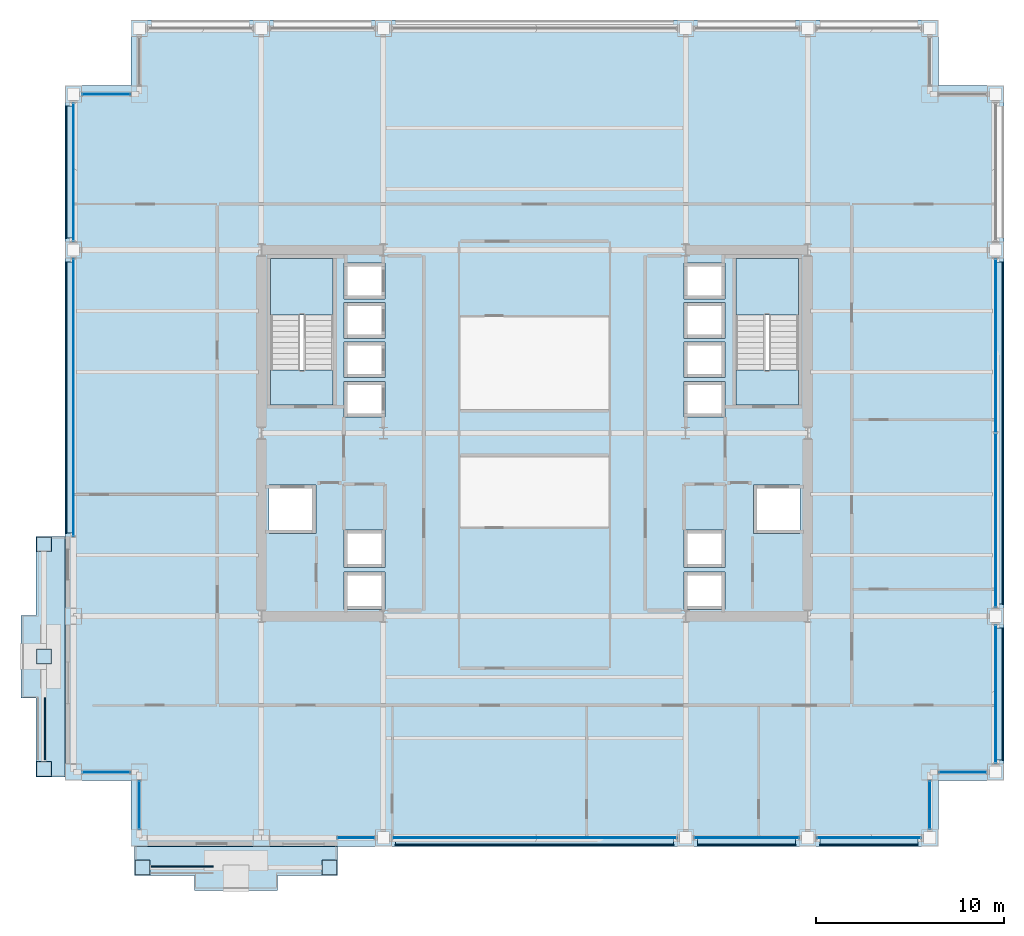
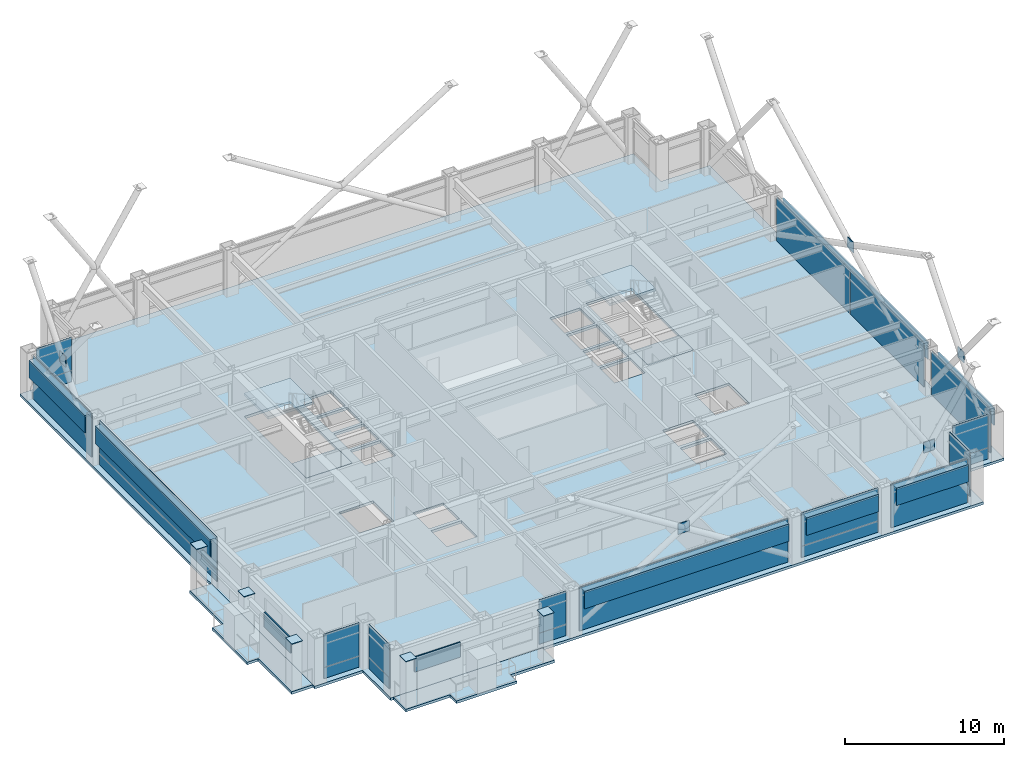
# One storey, part 23 of 30: 48 plates, 7 slabs, 15 elements without a shape of their own.
"""IFC4 building model written with IfcOpenShell, lengths in metres."""

from ifc_helpers import new_model, si_unit, direction, frame, origin, origin_2d, place, context, subcontext, project, spatial, polyline, rectangle, outline, extrude, material, layer, layer_set, type_object, element, aggregate, save


model = new_model("IFC4")

# Units and contexts
model_context = context("Model", 3, precision=1e-05, world=origin(), true_north=direction((0.0, 1.0)))
body_context = subcontext(model_context, "Body", "Model", "MODEL_VIEW")
ifc_project = project(units=[si_unit("LENGTHUNIT", "METRE"), si_unit("AREAUNIT", "SQUARE_METRE"), si_unit("VOLUMEUNIT", "CUBIC_METRE"), si_unit("PLANEANGLEUNIT", "RADIAN"), si_unit("MASSUNIT", "GRAM", prefix="KILO")], contexts=[model_context])

# Site, building, storey
site_placement = place(None, origin())
site = spatial("IfcSite", under=ifc_project, at=site_placement, CompositionType="ELEMENT")
building_placement = place(site_placement, origin())
building = spatial("IfcBuilding", under=site, at=building_placement, Name="Brelmoor Portico Tower", CompositionType="ELEMENT")
storey_placement = place(building_placement, frame((0.0, 0.0, 56.39990234375)))
storey = spatial("IfcBuildingStorey", under=building, at=storey_placement, Name="L14", CompositionType="ELEMENT", Elevation=56.39990234375)

# Plates
ifc_material_1 = material(Name="Steel Q355B", Category="steel")
ifc_layer_1 = layer(ifc_material_1, 0.044921875)
ifc_layer_set_1 = layer_set([ifc_layer_1], Name="Steel Q355B")
plate_type_1 = type_object("IfcPlateType", Name="PT-CAP-650", PredefinedType="SHEET", material=ifc_layer_set_1)
for number, where, z_axis, x_axis, name in (
    (1, (-26.1298828125, -17.8798828125, 3.60009765625), (0.0, 0.0, 1.0), (0.0, 1.0, 0.0), "L14 Proud Picture-Frame Pier PFJ-W1 Welded Head Cap Plate"),
    (2, (-26.1298828125, -5.919921875, 3.60009765625), (0.0, 0.0, 1.0), (0.0, 1.0, 0.0), "L14 Proud Picture-Frame Pier PFJ-W2 Welded Head Cap Plate"),
    (3, (-26.1298828125, -11.89990234375, 3.60009765625), (0.0, 0.0, 1.0), (0.0, 1.0, 0.0), "L14 Proud Picture-Frame Pier PFJ-W3 Welded Head Cap Plate"),
    (4, (-20.8798828125, -23.1298828125, 3.60009765625), (0.0, 0.0, 1.0), (1.0, 0.0, 0.0), "L14 Proud Picture-Frame Pier PFJ-S1 Welded Head Cap Plate"),
    (5, (-10.919921875, -23.1298828125, 3.60009765625), (0.0, 0.0, 1.0), (1.0, 0.0, 0.0), "L14 Proud Picture-Frame Pier PFJ-S2 Welded Head Cap Plate"),
):
    element("IfcPlate", number, at=place(storey_placement, frame(where, z_axis=z_axis, x_axis=x_axis)), inside=storey, type_object=plate_type_1, Name=name, PredefinedType="SHEET", context=body_context, shape_type="SweptSolid", body=[
        extrude(rectangle(XDim=0.7900390625, YDim=0.7900390625, at=origin_2d()), origin(), (0.0, 0.0, 1.0), 0.0400390625),
    ])

# Curtain wall, plate
ifc_material_2 = material(Name="Anodised Aluminium Alloy 6063-T6", Category="aluminium")
ifc_layer_2 = layer(ifc_material_2, 0.179931640625)
ifc_layer_set_2 = layer_set([ifc_layer_2], Name="Anodised Aluminium Alloy 6063-T6")
curtain_wall_type_1 = type_object("IfcCurtainWallType", Name="CW-TOWER-Z1", PredefinedType="NOTDEFINED", material=ifc_layer_set_2)
curtain_wall_1_placement = place(storey_placement, origin())
curtain_wall_1 = element("IfcCurtainWall", 6, at=curtain_wall_1_placement, inside=storey, type_object=curtain_wall_type_1, Name="L14 Curtain Wall CW-L14-1R-1", PredefinedType="NOTDEFINED")
ifc_material_3 = material(Name="Double-Silver Low-E Insulated Glazing", Category="glass")
ifc_layer_3 = layer(ifc_material_3, 0.035888671875)
ifc_layer_set_3 = layer_set([ifc_layer_3], Name="Double-Silver Low-E Insulated Glazing")
plate_type_2 = type_object("IfcPlateType", Name="PT-CW-GLASS", PredefinedType="CURTAIN_PANEL", material=ifc_layer_set_3)
plate_1_placement = place(storey_placement, frame((-9.5048828125, -21.550048828125, 0.85009765625), z_axis=(0.0, 0.0, 1.0), x_axis=(1.0, 0.0, 0.0)))
plate_1 = element("IfcPlate", 7, at=plate_1_placement, type_object=plate_type_2, Name="CW-L14-1R-1 Vision Glass Panel 00", PredefinedType="CURTAIN_PANEL", context=body_context, shape_type="SweptSolid", body=[
    extrude(rectangle(XDim=1.9599609375, YDim=0.035888671875, at=origin_2d()), origin(), (0.0, 0.0, 1.0), 2.550048828125),
])

curtain_wall_2_placement = place(storey_placement, origin())
curtain_wall_2 = element("IfcCurtainWall", 8, at=curtain_wall_2_placement, inside=storey, type_object=curtain_wall_type_1, Name="L14 Curtain Wall CW-L14-1R-3", PredefinedType="NOTDEFINED")
plate_2_placement = place(storey_placement, frame((11.300048828125, -21.550048828125, 0.85009765625), z_axis=(0.0, 0.0, 1.0), x_axis=(1.0, 0.0, 0.0)))
plate_2 = element("IfcPlate", 9, at=plate_2_placement, type_object=plate_type_2, Name="CW-L14-1R-3 Vision Glass Panel 00", PredefinedType="CURTAIN_PANEL", context=body_context, shape_type="SweptSolid", body=[
    extrude(rectangle(XDim=5.550048828125, YDim=0.035888671875, at=origin_2d()), origin(), (0.0, 0.0, 1.0), 2.550048828125),
])

curtain_wall_3_placement = place(storey_placement, origin())
curtain_wall_3 = element("IfcCurtainWall", 10, at=curtain_wall_3_placement, inside=storey, type_object=curtain_wall_type_1, Name="L14 Curtain Wall CW-L14-3R-1", PredefinedType="NOTDEFINED")
plate_3_placement = place(storey_placement, frame((-24.550048828125, 1.89501953125, 0.85009765625), z_axis=(0.0, 0.0, 1.0), x_axis=(0.0, 1.0, 0.0)))
plate_3 = element("IfcPlate", 11, at=plate_3_placement, type_object=plate_type_2, Name="CW-L14-3R-1 Vision Glass Panel 00", PredefinedType="CURTAIN_PANEL", context=body_context, shape_type="SweptSolid", body=[
    extrude(rectangle(XDim=14.760009765625, YDim=0.035888671875, at=origin_2d()), origin(), (0.0, 0.0, 1.0), 2.550048828125),
])

ifc_layer_4 = layer(ifc_material_2, 0.179931640625)
ifc_layer_set_4 = layer_set([ifc_layer_4], Name="Anodised Aluminium Alloy 6063-T6")
curtain_wall_type_2 = type_object("IfcCurtainWallType", Name="CW-NOTCH-CHAMFER", PredefinedType="NOTDEFINED", material=ifc_layer_set_4)
curtain_wall_4_placement = place(storey_placement, origin())
curtain_wall_4 = element("IfcCurtainWall", 12, at=curtain_wall_4_placement, inside=storey, type_object=curtain_wall_type_2, Name="L14 Curtain Wall CWN-L14-SWH", PredefinedType="NOTDEFINED")
plate_4_placement = place(storey_placement, frame((-22.800048828125, -18.050048828125, 0.85009765625), z_axis=(0.0, 0.0, 1.0), x_axis=(1.0, 0.0, 0.0)))
plate_4 = element("IfcPlate", 13, at=plate_4_placement, type_object=plate_type_2, Name="CWN-L14-SWH Vision Glass Panel 00", PredefinedType="CURTAIN_PANEL", context=body_context, shape_type="SweptSolid", body=[
    extrude(rectangle(XDim=2.550048828125, YDim=0.035888671875, at=origin_2d()), origin(), (0.0, 0.0, 1.0), 2.550048828125),
])

curtain_wall_5_placement = place(storey_placement, origin())
curtain_wall_5 = element("IfcCurtainWall", 14, at=curtain_wall_5_placement, inside=storey, type_object=curtain_wall_type_2, Name="L14 Curtain Wall CWN-L14-SWV", PredefinedType="NOTDEFINED")
plate_5_placement = place(storey_placement, frame((-21.050048828125, -19.800048828125, 0.85009765625), z_axis=(0.0, 0.0, 1.0), x_axis=(0.0, 1.0, 0.0)))
plate_5 = element("IfcPlate", 15, at=plate_5_placement, type_object=plate_type_2, Name="CWN-L14-SWV Vision Glass Panel 00", PredefinedType="CURTAIN_PANEL", context=body_context, shape_type="SweptSolid", body=[
    extrude(rectangle(XDim=2.550048828125, YDim=0.035888671875, at=origin_2d()), origin(), (0.0, 0.0, 1.0), 2.550048828125),
])

curtain_wall_6_placement = place(storey_placement, origin())
curtain_wall_6 = element("IfcCurtainWall", 16, at=curtain_wall_6_placement, inside=storey, type_object=curtain_wall_type_2, Name="L14 Curtain Wall CWN-L14-SEH", PredefinedType="NOTDEFINED")
plate_6_placement = place(storey_placement, frame((22.800048828125, -18.050048828125, 0.85009765625), z_axis=(0.0, 0.0, 1.0), x_axis=(1.0, 0.0, 0.0)))
plate_6 = element("IfcPlate", 17, at=plate_6_placement, type_object=plate_type_2, Name="CWN-L14-SEH Vision Glass Panel 00", PredefinedType="CURTAIN_PANEL", context=body_context, shape_type="SweptSolid", body=[
    extrude(rectangle(XDim=2.550048828125, YDim=0.035888671875, at=origin_2d()), origin(), (0.0, 0.0, 1.0), 2.550048828125),
])

curtain_wall_7_placement = place(storey_placement, origin())
curtain_wall_7 = element("IfcCurtainWall", 18, at=curtain_wall_7_placement, inside=storey, type_object=curtain_wall_type_2, Name="L14 Curtain Wall CWN-L14-SEV", PredefinedType="NOTDEFINED")
plate_7_placement = place(storey_placement, frame((21.050048828125, -19.800048828125, 0.85009765625), z_axis=(0.0, 0.0, 1.0), x_axis=(0.0, 1.0, 0.0)))
plate_7 = element("IfcPlate", 19, at=plate_7_placement, type_object=plate_type_2, Name="CWN-L14-SEV Vision Glass Panel 00", PredefinedType="CURTAIN_PANEL", context=body_context, shape_type="SweptSolid", body=[
    extrude(rectangle(XDim=2.550048828125, YDim=0.035888671875, at=origin_2d()), origin(), (0.0, 0.0, 1.0), 2.550048828125),
])

curtain_wall_8_placement = place(storey_placement, origin())
curtain_wall_8 = element("IfcCurtainWall", 20, at=curtain_wall_8_placement, inside=storey, type_object=curtain_wall_type_2, Name="L14 Curtain Wall CWN-L14-NWH", PredefinedType="NOTDEFINED")
plate_8_placement = place(storey_placement, frame((-22.800048828125, 18.050048828125, 0.85009765625), z_axis=(0.0, 0.0, 1.0), x_axis=(1.0, 0.0, 0.0)))
plate_8 = element("IfcPlate", 21, at=plate_8_placement, type_object=plate_type_2, Name="CWN-L14-NWH Vision Glass Panel 00", PredefinedType="CURTAIN_PANEL", context=body_context, shape_type="SweptSolid", body=[
    extrude(rectangle(XDim=2.550048828125, YDim=0.035888671875, at=origin_2d()), origin(), (0.0, 0.0, 1.0), 2.550048828125),
])

# Plate
ifc_material_4 = material(Name="Pale Champagne Anodised Aluminium Panel", Category="aluminium")
ifc_layer_5 = layer(ifc_material_4, 0.050048828125)
ifc_layer_set_5 = layer_set([ifc_layer_5], Name="Pale Champagne Anodised Aluminium Panel")
plate_type_3 = type_object("IfcPlateType", Name="PT-CW-SPANDREL", PredefinedType="SHEET", material=ifc_layer_set_5)
plate_9_placement = place(storey_placement, frame((-9.5048828125, -21.550048828125, 0.0), z_axis=(0.0, 0.0, 1.0), x_axis=(1.0, 0.0, 0.0)))
plate_9 = element("IfcPlate", 22, at=plate_9_placement, type_object=plate_type_3, Name="CW-L14-1R-1 Spandrel Panel 00", PredefinedType="SHEET", context=body_context, shape_type="SweptSolid", body=[
    extrude(rectangle(XDim=1.9599609375, YDim=0.050048828125, at=origin_2d()), origin(), (0.0, 0.0, 1.0), 0.85009765625),
])

aggregate(curtain_wall_1, [plate_9, plate_1])

# Curtain wall, plate
ifc_layer_6 = layer(ifc_material_2, 0.179931640625)
ifc_layer_set_6 = layer_set([ifc_layer_6], Name="Anodised Aluminium Alloy 6063-T6")
curtain_wall_type_3 = type_object("IfcCurtainWallType", Name="CW-TOWER-Z1-XB", PredefinedType="NOTDEFINED", material=ifc_layer_set_6)
curtain_wall_9_placement = place(storey_placement, origin())
curtain_wall_9 = element("IfcCurtainWall", 23, at=curtain_wall_9_placement, inside=storey, type_object=curtain_wall_type_3, Name="L14 Curtain Wall CW-L14-1R-2", PredefinedType="NOTDEFINED")
plate_10_placement = place(storey_placement, frame((0.0, -21.550048828125, 0.0), z_axis=(0.0, 0.0, 1.0), x_axis=(1.0, 0.0, 0.0)))
plate_10 = element("IfcPlate", 24, at=plate_10_placement, type_object=plate_type_3, Name="CW-L14-1R-2 Spandrel Panel 00", PredefinedType="SHEET", context=body_context, shape_type="SweptSolid", body=[
    extrude(rectangle(XDim=15.14990234375, YDim=0.050048828125, at=origin_2d()), origin(), (0.0, 0.0, 1.0), 3.330078125),
])
aggregate(curtain_wall_9, [plate_10])

# Plate
plate_11_placement = place(storey_placement, frame((11.300048828125, -21.550048828125, 0.0), z_axis=(0.0, 0.0, 1.0), x_axis=(1.0, 0.0, 0.0)))
plate_11 = element("IfcPlate", 25, at=plate_11_placement, type_object=plate_type_3, Name="CW-L14-1R-3 Spandrel Panel 00", PredefinedType="SHEET", context=body_context, shape_type="SweptSolid", body=[
    extrude(rectangle(XDim=5.550048828125, YDim=0.050048828125, at=origin_2d()), origin(), (0.0, 0.0, 1.0), 0.85009765625),
])

aggregate(curtain_wall_2, [plate_11, plate_2])

# Curtain wall, plate
curtain_wall_10_placement = place(storey_placement, origin())
curtain_wall_10 = element("IfcCurtainWall", 26, at=curtain_wall_10_placement, inside=storey, type_object=curtain_wall_type_3, Name="L14 Curtain Wall CW-L14-1R-4", PredefinedType="NOTDEFINED")
plate_12_placement = place(storey_placement, frame((17.800048828125, -21.550048828125, 0.0), z_axis=(0.0, 0.0, 1.0), x_axis=(1.0, 0.0, 0.0)))
plate_12 = element("IfcPlate", 27, at=plate_12_placement, type_object=plate_type_3, Name="CW-L14-1R-4 Spandrel Panel 00", PredefinedType="SHEET", context=body_context, shape_type="SweptSolid", body=[
    extrude(rectangle(XDim=5.550048828125, YDim=0.050048828125, at=origin_2d()), origin(), (0.0, 0.0, 1.0), 3.330078125),
])
aggregate(curtain_wall_10, [plate_12])

# Plate
plate_13_placement = place(storey_placement, frame((-24.550048828125, 1.89501953125, 0.0), z_axis=(0.0, 0.0, 1.0), x_axis=(0.0, 1.0, 0.0)))
plate_13 = element("IfcPlate", 28, at=plate_13_placement, type_object=plate_type_3, Name="CW-L14-3R-1 Spandrel Panel 00", PredefinedType="SHEET", context=body_context, shape_type="SweptSolid", body=[
    extrude(rectangle(XDim=14.760009765625, YDim=0.050048828125, at=origin_2d()), origin(), (0.0, 0.0, 1.0), 0.85009765625),
])

aggregate(curtain_wall_3, [plate_13, plate_3])

# Curtain wall, plate
curtain_wall_11_placement = place(storey_placement, origin())
curtain_wall_11 = element("IfcCurtainWall", 29, at=curtain_wall_11_placement, inside=storey, type_object=curtain_wall_type_3, Name="L14 Curtain Wall CW-L14-3R-2", PredefinedType="NOTDEFINED")
plate_14_placement = place(storey_placement, frame((-24.550048828125, 13.89990234375, 0.0), z_axis=(0.0, 0.0, 1.0), x_axis=(0.0, 1.0, 0.0)))
plate_14 = element("IfcPlate", 30, at=plate_14_placement, type_object=plate_type_3, Name="CW-L14-3R-2 Spandrel Panel 00", PredefinedType="SHEET", context=body_context, shape_type="SweptSolid", body=[
    extrude(rectangle(XDim=7.35009765625, YDim=0.050048828125, at=origin_2d()), origin(), (0.0, 0.0, 1.0), 3.330078125),
])
aggregate(curtain_wall_11, [plate_14])

curtain_wall_12_placement = place(storey_placement, origin())
curtain_wall_12 = element("IfcCurtainWall", 31, at=curtain_wall_12_placement, inside=storey, type_object=curtain_wall_type_3, Name="L14 Curtain Wall CW-L14-04-1", PredefinedType="NOTDEFINED")
plate_15_placement = place(storey_placement, frame((24.550048828125, -13.89990234375, 0.0), z_axis=(0.0, 0.0, 1.0), x_axis=(0.0, 1.0, 0.0)))
plate_15 = element("IfcPlate", 32, at=plate_15_placement, type_object=plate_type_3, Name="CW-L14-04-1 Spandrel Panel 00", PredefinedType="SHEET", context=body_context, shape_type="SweptSolid", body=[
    extrude(rectangle(XDim=7.35009765625, YDim=0.050048828125, at=origin_2d()), origin(), (0.0, 0.0, 1.0), 3.330078125),
])
aggregate(curtain_wall_12, [plate_15])

# Curtain wall, plates
curtain_wall_13_placement = place(storey_placement, origin())
curtain_wall_13 = element("IfcCurtainWall", 33, at=curtain_wall_13_placement, inside=storey, type_object=curtain_wall_type_3, Name="L14 Curtain Wall CW-L14-04-2", PredefinedType="NOTDEFINED")
plate_16_placement = place(storey_placement, frame((24.550048828125, -4.64501953125, 0.0), z_axis=(0.0, 0.0, 1.0), x_axis=(0.0, 1.0, 0.0)))
plate_16 = element("IfcPlate", 34, at=plate_16_placement, type_object=plate_type_3, Name="CW-L14-04-2 Spandrel Panel 00", PredefinedType="SHEET", context=body_context, shape_type="SweptSolid", body=[
    extrude(rectangle(XDim=9.260009765625, YDim=0.050048828125, at=origin_2d()), origin(), (0.0, 0.0, 1.0), 3.330078125),
])
plate_17_placement = place(storey_placement, frame((24.550048828125, 4.64501953125, 0.0), z_axis=(0.0, 0.0, 1.0), x_axis=(0.0, 1.0, 0.0)))
plate_17 = element("IfcPlate", 35, at=plate_17_placement, type_object=plate_type_3, Name="CW-L14-04-2 Spandrel Panel 01", PredefinedType="SHEET", context=body_context, shape_type="SweptSolid", body=[
    extrude(rectangle(XDim=9.260009765625, YDim=0.050048828125, at=origin_2d()), origin(), (0.0, 0.0, 1.0), 3.330078125),
])
aggregate(curtain_wall_13, [plate_16, plate_17])

# Plate
plate_18_placement = place(storey_placement, frame((-22.800048828125, -18.050048828125, 0.0), z_axis=(0.0, 0.0, 1.0), x_axis=(1.0, 0.0, 0.0)))
plate_18 = element("IfcPlate", 36, at=plate_18_placement, type_object=plate_type_3, Name="CWN-L14-SWH Spandrel Panel 00", PredefinedType="SHEET", context=body_context, shape_type="SweptSolid", body=[
    extrude(rectangle(XDim=2.550048828125, YDim=0.050048828125, at=origin_2d()), origin(), (0.0, 0.0, 1.0), 0.85009765625),
])

aggregate(curtain_wall_4, [plate_18, plate_4])

plate_19_placement = place(storey_placement, frame((-21.050048828125, -19.800048828125, 0.0), z_axis=(0.0, 0.0, 1.0), x_axis=(0.0, 1.0, 0.0)))
plate_19 = element("IfcPlate", 37, at=plate_19_placement, type_object=plate_type_3, Name="CWN-L14-SWV Spandrel Panel 00", PredefinedType="SHEET", context=body_context, shape_type="SweptSolid", body=[
    extrude(rectangle(XDim=2.550048828125, YDim=0.050048828125, at=origin_2d()), origin(), (0.0, 0.0, 1.0), 0.85009765625),
])

aggregate(curtain_wall_5, [plate_19, plate_5])

plate_20_placement = place(storey_placement, frame((22.800048828125, -18.050048828125, 0.0), z_axis=(0.0, 0.0, 1.0), x_axis=(1.0, 0.0, 0.0)))
plate_20 = element("IfcPlate", 38, at=plate_20_placement, type_object=plate_type_3, Name="CWN-L14-SEH Spandrel Panel 00", PredefinedType="SHEET", context=body_context, shape_type="SweptSolid", body=[
    extrude(rectangle(XDim=2.550048828125, YDim=0.050048828125, at=origin_2d()), origin(), (0.0, 0.0, 1.0), 0.85009765625),
])

aggregate(curtain_wall_6, [plate_20, plate_6])

plate_21_placement = place(storey_placement, frame((21.050048828125, -19.800048828125, 0.0), z_axis=(0.0, 0.0, 1.0), x_axis=(0.0, 1.0, 0.0)))
plate_21 = element("IfcPlate", 39, at=plate_21_placement, type_object=plate_type_3, Name="CWN-L14-SEV Spandrel Panel 00", PredefinedType="SHEET", context=body_context, shape_type="SweptSolid", body=[
    extrude(rectangle(XDim=2.550048828125, YDim=0.050048828125, at=origin_2d()), origin(), (0.0, 0.0, 1.0), 0.85009765625),
])

aggregate(curtain_wall_7, [plate_21, plate_7])

plate_22_placement = place(storey_placement, frame((-22.800048828125, 18.050048828125, 0.0), z_axis=(0.0, 0.0, 1.0), x_axis=(1.0, 0.0, 0.0)))
plate_22 = element("IfcPlate", 40, at=plate_22_placement, type_object=plate_type_3, Name="CWN-L14-NWH Spandrel Panel 00", PredefinedType="SHEET", context=body_context, shape_type="SweptSolid", body=[
    extrude(rectangle(XDim=2.550048828125, YDim=0.050048828125, at=origin_2d()), origin(), (0.0, 0.0, 1.0), 0.85009765625),
])

aggregate(curtain_wall_8, [plate_22, plate_8])

# Plates
ifc_layer_7 = layer(ifc_material_1, 0.050048828125)
ifc_layer_set_7 = layer_set([ifc_layer_7], Name="Steel Q355B")
plate_type_4 = type_object("IfcPlateType", Name="PT-GUSSET-800", PredefinedType="USERDEFINED", material=ifc_layer_set_7)
for number, where, z_axis, x_axis, name in (
    (41, (0.0, -21.550048828125, 4.89990234375), (0.0, 0.0, 1.0), (1.0, 0.0, 0.0), "L14 Perimeter Mega-Brace Gusset 025"),
    (42, (17.800048828125, -21.550048828125, 4.89990234375), (0.0, 0.0, 1.0), (1.0, 0.0, 0.0), "L14 Perimeter Mega-Brace Gusset 026"),
):
    element("IfcPlate", number, at=place(storey_placement, frame(where, z_axis=z_axis, x_axis=x_axis)), inside=storey, type_object=plate_type_4, Name=name, ObjectType="GUSSET PLATE", PredefinedType="USERDEFINED", context=body_context, shape_type="SweptSolid", body=[
        extrude(rectangle(XDim=0.800048828125, YDim=0.050048828125, at=origin_2d()), origin(), (0.0, 0.0, 1.0), 0.800048828125),
    ])
for number, where, z_axis, x_axis, name in (
    (43, (-24.550048828125, 13.89990234375, 4.89990234375), (0.0, 0.0, 1.0), (1.0, 0.0, 0.0), "L14 Perimeter Mega-Brace Gusset 030"),
    (44, (24.550048828125, -13.89990234375, 4.89990234375), (0.0, 0.0, 1.0), (1.0, 0.0, 0.0), "L14 Perimeter Mega-Brace Gusset 031"),
    (45, (24.550048828125, 0.0, 4.89990234375), (0.0, 0.0, 1.0), (1.0, 0.0, 0.0), "L14 Perimeter Mega-Brace Gusset 032"),
):
    element("IfcPlate", number, at=place(storey_placement, frame(where, z_axis=z_axis, x_axis=x_axis)), inside=storey, type_object=plate_type_4, Name=name, ObjectType="GUSSET PLATE", PredefinedType="USERDEFINED", context=body_context, shape_type="SweptSolid", body=[
        extrude(rectangle(XDim=0.050048828125, YDim=0.800048828125, at=origin_2d()), origin(), (0.0, 0.0, 1.0), 0.800048828125),
    ])
ifc_material_5 = material(Name="Powder-Coated Aluminium Shuttered Jalousie Louvre", Category="aluminium")
ifc_layer_8 = layer(ifc_material_5, 0.06005859375)
ifc_layer_set_8 = layer_set([ifc_layer_8], Name="Powder-Coated Aluminium Shuttered Jalousie Louvre")
plate_type_5 = type_object("IfcPlateType", Name="PT-JALOUSIE-SHUTTER", PredefinedType="SHEET", material=ifc_layer_set_8)
plate_23_placement = place(storey_placement, frame((0.0, -21.929931640625, 1.8740234375), z_axis=(0.0, 0.0, 1.0), x_axis=(1.0, 0.0, 0.0)))
element("IfcPlate", 46, at=plate_23_placement, inside=storey, type_object=plate_type_5, Name="CW-L14-1R-2 Perforated Jalousie Solar Screen", PredefinedType="SHEET", context=body_context, shape_type="SweptSolid", body=[
    extrude(rectangle(XDim=14.820068359375, YDim=0.06494140625, at=origin_2d()), origin(), (0.0, 0.0, 1.0), 1.325927734375),
])
for number, where, z_axis, x_axis, name in (
    (47, (11.300048828125, -21.929931640625, 1.8740234375), (0.0, 0.0, 1.0), (1.0, 0.0, 0.0), "CW-L14-1R-3 Perforated Jalousie Solar Screen"),
    (48, (17.800048828125, -21.929931640625, 1.8740234375), (0.0, 0.0, 1.0), (1.0, 0.0, 0.0), "CW-L14-1R-4 Perforated Jalousie Solar Screen"),
):
    element("IfcPlate", number, at=place(storey_placement, frame(where, z_axis=z_axis, x_axis=x_axis)), inside=storey, type_object=plate_type_5, Name=name, PredefinedType="SHEET", context=body_context, shape_type="SweptSolid", body=[
        extrude(rectangle(XDim=5.219970703125, YDim=0.06494140625, at=origin_2d()), origin(), (0.0, 0.0, 1.0), 1.325927734375),
    ])
plate_24_placement = place(storey_placement, frame((-18.75, -23.080078125, 2.275146484375), z_axis=(0.0, 0.0, 1.0), x_axis=(1.0, 0.0, 0.0)))
element("IfcPlate", 49, at=plate_24_placement, inside=storey, type_object=plate_type_5, Name="L14 Shuttered Veranda Screen S", PredefinedType="SHEET", context=body_context, shape_type="SweptSolid", body=[
    extrude(rectangle(XDim=3.300048828125, YDim=0.080078125, at=origin_2d()), origin(), (0.0, 0.0, 1.0), 1.14990234375),
])
plate_25_placement = place(storey_placement, frame((-24.929931640625, 1.89501953125, 1.8740234375), z_axis=(0.0, 0.0, 1.0), x_axis=(0.0, 1.0, 0.0)))
element("IfcPlate", 50, at=plate_25_placement, inside=storey, type_object=plate_type_5, Name="CW-L14-3R-1 Perforated Jalousie Solar Screen", PredefinedType="SHEET", context=body_context, shape_type="SweptSolid", body=[
    extrude(rectangle(XDim=14.429931640625, YDim=0.06494140625, at=origin_2d()), origin(), (0.0, 0.0, 1.0), 1.325927734375),
])
plate_26_placement = place(storey_placement, frame((-24.929931640625, 13.89990234375, 1.8740234375), z_axis=(0.0, 0.0, 1.0), x_axis=(0.0, 1.0, 0.0)))
element("IfcPlate", 51, at=plate_26_placement, inside=storey, type_object=plate_type_5, Name="CW-L14-3R-2 Perforated Jalousie Solar Screen", PredefinedType="SHEET", context=body_context, shape_type="SweptSolid", body=[
    extrude(rectangle(XDim=7.02001953125, YDim=0.06494140625, at=origin_2d()), origin(), (0.0, 0.0, 1.0), 1.325927734375),
])
plate_27_placement = place(storey_placement, frame((-26.080078125, -15.75, 2.275146484375), z_axis=(0.0, 0.0, 1.0), x_axis=(0.0, 1.0, 0.0)))
element("IfcPlate", 52, at=plate_27_placement, inside=storey, type_object=plate_type_5, Name="L14 Shuttered Veranda Screen W", PredefinedType="SHEET", context=body_context, shape_type="SweptSolid", body=[
    extrude(rectangle(XDim=3.300048828125, YDim=0.080078125, at=origin_2d()), origin(), (0.0, 0.0, 1.0), 1.14990234375),
])
plate_28_placement = place(storey_placement, frame((24.929931640625, -13.89990234375, 1.8740234375), z_axis=(0.0, 0.0, 1.0), x_axis=(0.0, 1.0, 0.0)))
element("IfcPlate", 53, at=plate_28_placement, inside=storey, type_object=plate_type_5, Name="CW-L14-04-1 Perforated Jalousie Solar Screen", PredefinedType="SHEET", context=body_context, shape_type="SweptSolid", body=[
    extrude(rectangle(XDim=7.02001953125, YDim=0.06494140625, at=origin_2d()), origin(), (0.0, 0.0, 1.0), 1.325927734375),
])
plate_29_placement = place(storey_placement, frame((24.929931640625, 0.0, 1.8740234375), z_axis=(0.0, 0.0, 1.0), x_axis=(0.0, 1.0, 0.0)))
element("IfcPlate", 54, at=plate_29_placement, inside=storey, type_object=plate_type_5, Name="CW-L14-04-2 Perforated Jalousie Solar Screen", PredefinedType="SHEET", context=body_context, shape_type="SweptSolid", body=[
    extrude(rectangle(XDim=18.219970703125, YDim=0.06494140625, at=origin_2d()), origin(), (0.0, 0.0, 1.0), 1.325927734375),
])
ifc_material_6 = material(Name="Pale Champagne Perforated Aluminium Solar Screen", Category="aluminium")
ifc_layer_9 = layer(ifc_material_6, 0.054931640625)
ifc_layer_set_9 = layer_set([ifc_layer_9], Name="Pale Champagne Perforated Aluminium Solar Screen")
plate_type_6 = type_object("IfcPlateType", Name="PT-SOLAR-LOUVRE", PredefinedType="SHEET", material=ifc_layer_set_9)
plate_30_placement = place(storey_placement, frame((0.0, -21.760009765625, 3.09033203125), z_axis=(0.0, 0.0, 1.0), x_axis=(1.0, 0.0, 0.0)))
element("IfcPlate", 55, at=plate_30_placement, inside=storey, type_object=plate_type_6, Name="CW-L14-1R-2 Caribbean Brise-Soleil Solar Screen", PredefinedType="SHEET", context=body_context, shape_type="SweptSolid", body=[
    extrude(rectangle(XDim=14.820068359375, YDim=0.4599609375, at=origin_2d()), origin(), (0.0, 0.0, 1.0), 0.139892578125),
])
for number, where, z_axis, x_axis, name in (
    (56, (11.300048828125, -21.760009765625, 3.09033203125), (0.0, 0.0, 1.0), (1.0, 0.0, 0.0), "CW-L14-1R-3 Caribbean Brise-Soleil Solar Screen"),
    (57, (17.800048828125, -21.760009765625, 3.09033203125), (0.0, 0.0, 1.0), (1.0, 0.0, 0.0), "CW-L14-1R-4 Caribbean Brise-Soleil Solar Screen"),
):
    element("IfcPlate", number, at=place(storey_placement, frame(where, z_axis=z_axis, x_axis=x_axis)), inside=storey, type_object=plate_type_6, Name=name, PredefinedType="SHEET", context=body_context, shape_type="SweptSolid", body=[
        extrude(rectangle(XDim=5.219970703125, YDim=0.4599609375, at=origin_2d()), origin(), (0.0, 0.0, 1.0), 0.139892578125),
    ])
plate_31_placement = place(storey_placement, frame((-24.760009765625, 1.89501953125, 3.09033203125), z_axis=(0.0, 0.0, 1.0), x_axis=(0.0, 1.0, 0.0)))
element("IfcPlate", 58, at=plate_31_placement, inside=storey, type_object=plate_type_6, Name="CW-L14-3R-1 Caribbean Brise-Soleil Solar Screen", PredefinedType="SHEET", context=body_context, shape_type="SweptSolid", body=[
    extrude(rectangle(XDim=14.429931640625, YDim=0.4599609375, at=origin_2d()), origin(), (0.0, 0.0, 1.0), 0.139892578125),
])
for number, where, z_axis, x_axis, name in (
    (59, (-24.760009765625, 13.89990234375, 3.09033203125), (0.0, 0.0, 1.0), (0.0, 1.0, 0.0), "CW-L14-3R-2 Caribbean Brise-Soleil Solar Screen"),
    (60, (24.760009765625, -13.89990234375, 3.09033203125), (0.0, 0.0, 1.0), (0.0, 1.0, 0.0), "CW-L14-04-1 Caribbean Brise-Soleil Solar Screen"),
):
    element("IfcPlate", number, at=place(storey_placement, frame(where, z_axis=z_axis, x_axis=x_axis)), inside=storey, type_object=plate_type_6, Name=name, PredefinedType="SHEET", context=body_context, shape_type="SweptSolid", body=[
        extrude(rectangle(XDim=7.02001953125, YDim=0.4599609375, at=origin_2d()), origin(), (0.0, 0.0, 1.0), 0.139892578125),
    ])
plate_32_placement = place(storey_placement, frame((24.760009765625, 0.0, 3.09033203125), z_axis=(0.0, 0.0, 1.0), x_axis=(0.0, 1.0, 0.0)))
element("IfcPlate", 61, at=plate_32_placement, inside=storey, type_object=plate_type_6, Name="CW-L14-04-2 Caribbean Brise-Soleil Solar Screen", PredefinedType="SHEET", context=body_context, shape_type="SweptSolid", body=[
    extrude(rectangle(XDim=18.219970703125, YDim=0.4599609375, at=origin_2d()), origin(), (0.0, 0.0, 1.0), 0.139892578125),
])

# Slabs
ifc_material_7 = material(Name="Concrete C40", Category="concrete")
ifc_layer_10 = layer(ifc_material_7, 0.199951171875)
ifc_layer_set_10 = layer_set([ifc_layer_10], Name="Concrete C40")
slab_type_1 = type_object("IfcSlabType", Name="SL-BALCONY-200", PredefinedType="FLOOR", material=ifc_layer_set_10)
slab_1_placement = place(storey_placement, frame((0.0, 0.0, -0.199951171875)))
element("IfcSlab", 62, at=slab_1_placement, inside=storey, type_object=slab_type_1, Name="L14 Loggia Tree Balcony Slab W", PredefinedType="FLOOR", context=body_context, shape_type="SweptSolid", body=[
    extrude(outline(polyline([(-26.550048828125, -18.300048828125), (-25.0, -18.300048828125), (-25.0, -5.5), (-26.550048828125, -5.5), (-26.550048828125, -9.699951171875), (-27.35009765625, -9.699951171875), (-27.35009765625, -14.10009765625), (-26.550048828125, -14.10009765625), (-26.550048828125, -18.300048828125)])), origin(), (0.0, 0.0, 1.0), 0.199951171875),
])
slab_2_placement = place(storey_placement, frame((0.0, 0.0, -0.199951171875)))
element("IfcSlab", 63, at=slab_2_placement, inside=storey, type_object=slab_type_1, Name="L14 Loggia Tree Balcony Slab S", PredefinedType="FLOOR", context=body_context, shape_type="SweptSolid", body=[
    extrude(outline(polyline([(-21.300048828125, -23.550048828125), (-18.10009765625, -23.550048828125), (-18.10009765625, -24.35009765625), (-13.699951171875, -24.35009765625), (-13.699951171875, -23.550048828125), (-10.5, -23.550048828125), (-10.5, -22.0), (-21.300048828125, -22.0), (-21.300048828125, -23.550048828125)])), origin(), (0.0, 0.0, 1.0), 0.199951171875),
])
ifc_layer_11 = layer(ifc_material_7, 0.199951171875)
ifc_layer_set_11 = layer_set([ifc_layer_11], Name="Concrete C40")
slab_type_2 = type_object("IfcSlabType", Name="SL-FLOOR-200", PredefinedType="FLOOR", material=ifc_layer_set_11)
slab_3_placement = place(storey_placement, frame((0.0, 0.0, -0.199951171875)))
element("IfcSlab", 64, at=slab_3_placement, inside=storey, type_object=slab_type_2, Name="L14 Main Structural Floor Slab", PredefinedType="FLOOR", context=body_context, shape_type="SweptSolid", body=[
    extrude(outline(polyline([(-21.5, -22.0), (21.5, -22.0), (21.5, -18.5), (25.0, -18.5), (25.0, 18.5), (21.5, 18.5), (21.5, 22.0), (-21.5, 22.0), (-21.5, 18.5), (-25.0, 18.5), (-25.0, -18.5), (-21.5, -18.5), (-21.5, -22.0)]), holes=[polyline([(-10.72998046875, 1.5), (-10.72998046875, 9.300048828125), (-14.050048828125, 9.300048828125), (-14.050048828125, 1.5), (-10.72998046875, 1.5)]), polyline([(14.050048828125, 1.5), (14.050048828125, 9.300048828125), (10.72998046875, 9.300048828125), (10.72998046875, 1.5), (14.050048828125, 1.5)]), polyline([(-10.14990234375, 0.85009765625), (-7.949951171875, 0.85009765625), (-7.949951171875, 2.75), (-10.14990234375, 2.75), (-10.14990234375, 0.85009765625)]), polyline([(-10.14990234375, 2.949951171875), (-7.949951171875, 2.949951171875), (-7.949951171875, 4.85009765625), (-10.14990234375, 4.85009765625), (-10.14990234375, 2.949951171875)]), polyline([(-10.14990234375, 5.050048828125), (-7.949951171875, 5.050048828125), (-7.949951171875, 6.949951171875), (-10.14990234375, 6.949951171875), (-10.14990234375, 5.050048828125)]), polyline([(-10.14990234375, 7.14990234375), (-7.949951171875, 7.14990234375), (-7.949951171875, 9.050048828125), (-10.14990234375, 9.050048828125), (-10.14990234375, 7.14990234375)]), polyline([(7.949951171875, 0.85009765625), (10.14990234375, 0.85009765625), (10.14990234375, 2.75), (7.949951171875, 2.75), (7.949951171875, 0.85009765625)]), polyline([(7.949951171875, 2.949951171875), (10.14990234375, 2.949951171875), (10.14990234375, 4.85009765625), (7.949951171875, 4.85009765625), (7.949951171875, 2.949951171875)]), polyline([(7.949951171875, 5.050048828125), (10.14990234375, 5.050048828125), (10.14990234375, 6.949951171875), (7.949951171875, 6.949951171875), (7.949951171875, 5.050048828125)]), polyline([(7.949951171875, 7.14990234375), (10.14990234375, 7.14990234375), (10.14990234375, 9.050048828125), (7.949951171875, 9.050048828125), (7.949951171875, 7.14990234375)]), polyline([(-10.14990234375, -9.39990234375), (-7.949951171875, -9.39990234375), (-7.949951171875, -7.39990234375), (-10.14990234375, -7.39990234375), (-10.14990234375, -9.39990234375)]), polyline([(-10.14990234375, -7.14990234375), (-7.949951171875, -7.14990234375), (-7.949951171875, -5.14990234375), (-10.14990234375, -5.14990234375), (-10.14990234375, -7.14990234375)]), polyline([(7.949951171875, -9.39990234375), (10.14990234375, -9.39990234375), (10.14990234375, -7.39990234375), (7.949951171875, -7.39990234375), (7.949951171875, -9.39990234375)]), polyline([(7.949951171875, -7.14990234375), (10.14990234375, -7.14990234375), (10.14990234375, -5.14990234375), (7.949951171875, -5.14990234375), (7.949951171875, -7.14990234375)]), polyline([(-14.14990234375, -5.35009765625), (-11.64990234375, -5.35009765625), (-11.64990234375, -2.75), (-14.14990234375, -2.75), (-14.14990234375, -5.35009765625)]), polyline([(11.64990234375, -5.35009765625), (14.14990234375, -5.35009765625), (14.14990234375, -2.75), (11.64990234375, -2.75), (11.64990234375, -5.35009765625)])]), origin(), (0.0, 0.0, 1.0), 0.199951171875),
])

# Stair, slab
stair_type_1 = type_object("IfcStairType", Name="ST-CORE-W", PredefinedType="HALF_TURN_STAIR", material=ifc_material_7)
stair_1_placement = place(storey_placement, origin())
stair_1 = element("IfcStair", 65, at=stair_1_placement, inside=storey, type_object=stair_type_1, Name="L14 Protected Core Exit Stair ST-W", PredefinedType="HALF_TURN_STAIR")
ifc_layer_12 = layer(ifc_material_7, 0.179931640625)
ifc_layer_set_12 = layer_set([ifc_layer_12], Name="Concrete C40")
slab_type_3 = type_object("IfcSlabType", Name="SL-LANDING-180", PredefinedType="LANDING", material=ifc_layer_set_12)
slab_4_placement = place(storey_placement, frame((0.0, 0.0, 1.60009765625)))
slab_4 = element("IfcSlab", 66, at=slab_4_placement, type_object=slab_type_3, Name="ST-W landing 1", PredefinedType="LANDING", context=body_context, shape_type="SweptSolid", body=[
    extrude(outline(polyline([(-10.72998046875, 6.300048828125), (-10.72998046875, 9.300048828125), (-14.050048828125, 9.300048828125), (-14.050048828125, 6.300048828125), (-10.72998046875, 6.300048828125)])), origin(), (0.0, 0.0, 1.0), 0.199951171875),
])
aggregate(stair_1, [slab_4])

stair_type_2 = type_object("IfcStairType", Name="ST-CORE-E", PredefinedType="HALF_TURN_STAIR", material=ifc_material_7)
stair_2_placement = place(storey_placement, origin())
stair_2 = element("IfcStair", 67, at=stair_2_placement, inside=storey, type_object=stair_type_2, Name="L14 Protected Core Exit Stair ST-E", PredefinedType="HALF_TURN_STAIR")
slab_5_placement = place(storey_placement, frame((0.0, 0.0, 1.60009765625)))
slab_5 = element("IfcSlab", 68, at=slab_5_placement, type_object=slab_type_3, Name="ST-E landing 1", PredefinedType="LANDING", context=body_context, shape_type="SweptSolid", body=[
    extrude(outline(polyline([(14.050048828125, 6.300048828125), (14.050048828125, 9.300048828125), (10.72998046875, 9.300048828125), (10.72998046875, 6.300048828125), (14.050048828125, 6.300048828125)])), origin(), (0.0, 0.0, 1.0), 0.199951171875),
])
aggregate(stair_2, [slab_5])

# Slabs
ifc_layer_13 = layer(ifc_material_7, 0.199951171875)
ifc_layer_set_13 = layer_set([ifc_layer_13], Name="Concrete C40")
slab_type_4 = type_object("IfcSlabType", Name="SL-STAIR-FL200", PredefinedType="LANDING", material=ifc_layer_set_13)
slab_6_placement = place(storey_placement, frame((0.0, 0.0, -0.199951171875)))
element("IfcSlab", 69, at=slab_6_placement, inside=storey, type_object=slab_type_4, Name="L14 ST-W Structural Floor Landing Slab", PredefinedType="LANDING", context=body_context, shape_type="SweptSolid", body=[
    extrude(outline(polyline([(-10.72998046875, 1.5), (-10.72998046875, 3.35009765625), (-14.050048828125, 3.35009765625), (-14.050048828125, 1.5), (-10.72998046875, 1.5)])), origin(), (0.0, 0.0, 1.0), 0.199951171875),
])
slab_7_placement = place(storey_placement, frame((0.0, 0.0, -0.199951171875)))
element("IfcSlab", 70, at=slab_7_placement, inside=storey, type_object=slab_type_4, Name="L14 ST-E Structural Floor Landing Slab", PredefinedType="LANDING", context=body_context, shape_type="SweptSolid", body=[
    extrude(outline(polyline([(14.050048828125, 1.5), (14.050048828125, 3.35009765625), (10.72998046875, 3.35009765625), (10.72998046875, 1.5), (14.050048828125, 1.5)])), origin(), (0.0, 0.0, 1.0), 0.199951171875),
])

save(model, "model.ifc")
